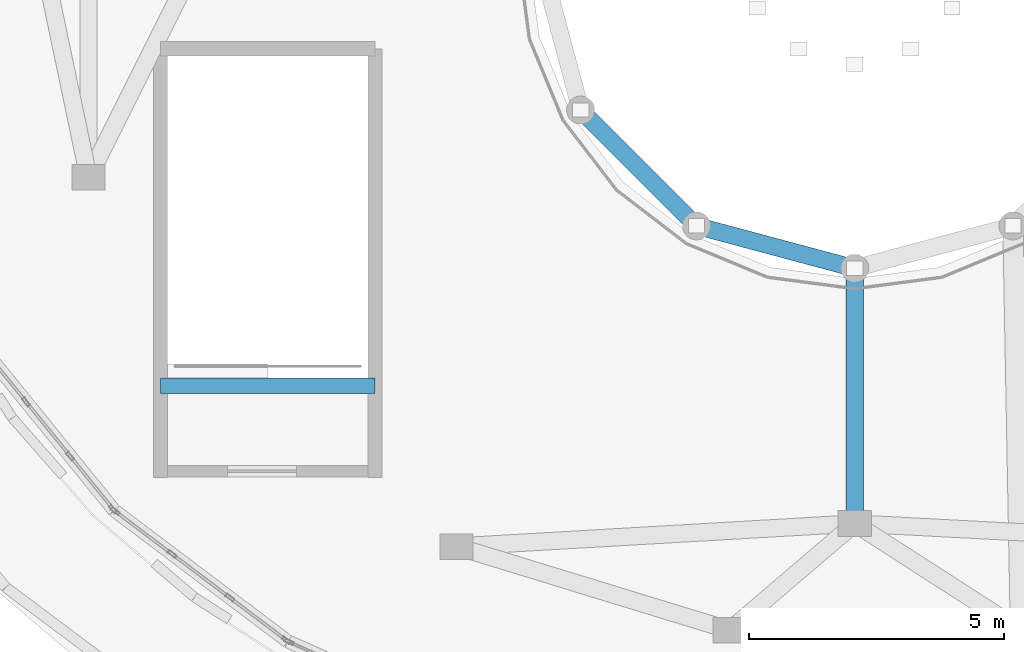
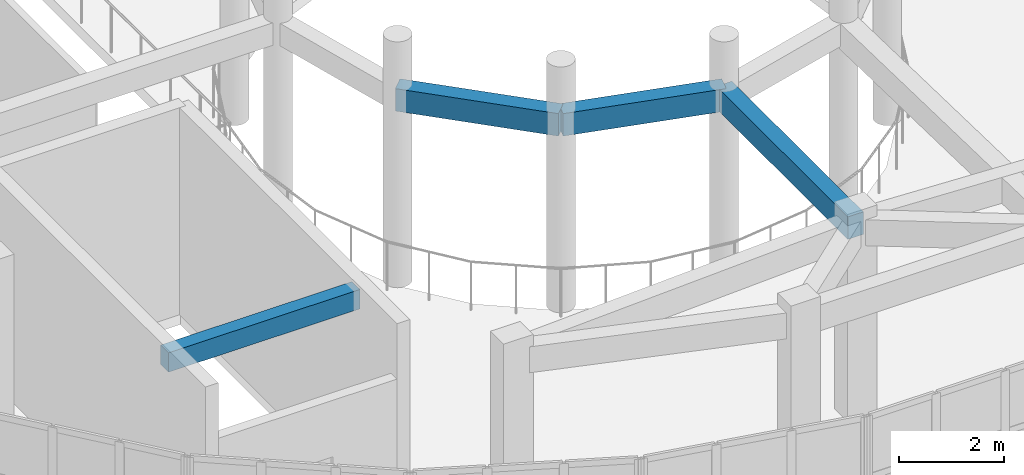
# One storey, part 7 of 98: 4 beams.
"""IFC4 building model written with IfcOpenShell, lengths in metres."""

from ifc_helpers import new_model, si_unit, direction, frame, origin, origin_2d, place, context, subcontext, project, spatial, rectangle, extrude, material, material_profile, profile_set, type_object, element, save


model = new_model("IFC4")

# Units and contexts
model_context = context("Model", 3, precision=1e-05, world=origin(), true_north=direction((0.0, 1.0)))
body_context = subcontext(model_context, "Body", "Model", "MODEL_VIEW")
ifc_project = project(units=[si_unit("LENGTHUNIT", "METRE"), si_unit("AREAUNIT", "SQUARE_METRE"), si_unit("VOLUMEUNIT", "CUBIC_METRE"), si_unit("PLANEANGLEUNIT", "RADIAN"), si_unit("MASSUNIT", "GRAM", prefix="KILO")], contexts=[model_context])

# Site, building, storey
site_placement = place(None, origin())
site = spatial("IfcSite", under=ifc_project, at=site_placement, CompositionType="ELEMENT")
building_placement = place(site_placement, origin())
building = spatial("IfcBuilding", under=site, at=building_placement, Name="Pelvatis Terrace Science Centre", CompositionType="ELEMENT")
storey_placement = place(building_placement, frame((0.0, 0.0, 5.39990234375)))
storey = spatial("IfcBuildingStorey", under=building, at=storey_placement, Name="L01", CompositionType="ELEMENT", Elevation=5.39990234375)

# Beams
ifc_material_1 = material(Name="Concrete C35/45", Category="concrete")
ifc_material_profile_1 = material_profile(ifc_material_1, rectangle(XDim=0.300048828125, YDim=0.449951171875, at=origin_2d()), Name="RC-BM 300x450")
ifc_profile_set_1 = profile_set([ifc_material_profile_1], Name="Concrete C35/45")
beam_type_1 = type_object("IfcBeamType", Name="BM-RC-300x450", PredefinedType="BEAM", material=ifc_profile_set_1)
beam_1_placement = place(storey_placement, frame((33.199951171875, 26.60009765625, 4.320068359375), z_axis=(1.0, 0.0, 0.0), x_axis=(0.0, 1.0, 0.0)))
element("IfcBeam", 1, at=beam_1_placement, inside=storey, type_object=beam_type_1, Name="Stair ST-08 header beam (L01)", PredefinedType="BEAM", context=body_context, shape_type="SweptSolid", body=[
    extrude(rectangle(XDim=0.300048828125, YDim=0.449951171875, at=origin_2d()), origin(), (0.0, 0.0, 1.0), 4.199951171875),
])
ifc_material_2 = material(Name="Concrete C35/45", Category="concrete")
ifc_material_profile_2 = material_profile(ifc_material_2, rectangle(XDim=0.340087890625, YDim=0.52001953125, at=origin_2d()), Name="RC-BM 340x520")
ifc_profile_set_2 = profile_set([ifc_material_profile_2], Name="Concrete C35/45")
beam_type_2 = type_object("IfcBeamType", Name="BM-RC-340x520", PredefinedType="BEAM", material=ifc_profile_set_2)
beam_2_placement = place(storey_placement, frame((41.4306640625, 32.0, 4.280029296875), z_axis=(0.707106781187, -0.707106781187, 0.0), x_axis=(0.707106781187, 0.707106781187, 0.0)))
element("IfcBeam", 2, at=beam_2_placement, inside=storey, type_object=beam_type_2, Name="Beam BM-L01-2596", PredefinedType="BEAM", context=body_context, shape_type="SweptSolid", body=[
    extrude(rectangle(XDim=0.340087890625, YDim=0.52001953125, at=origin_2d()), origin(), (0.0, 0.0, 1.0), 3.209228515625),
])
beam_3_placement = place(storey_placement, frame((43.699951171875, 29.730712890625, 4.280029296875), z_axis=(0.965914773555, -0.258860290944, 0.0), x_axis=(0.258860290944, 0.965914773555, 0.0)))
element("IfcBeam", 3, at=beam_3_placement, inside=storey, type_object=beam_type_2, Name="Beam BM-L01-2597", PredefinedType="BEAM", context=body_context, shape_type="SweptSolid", body=[
    extrude(rectangle(XDim=0.340087890625, YDim=0.52001953125, at=origin_2d()), origin(), (0.0, 0.0, 1.0), 3.20947265625),
])
beam_4_placement = place(storey_placement, frame((46.800048828125, 28.89990234375, 4.280029296875), z_axis=(0.0, -1.0, 0.0), x_axis=(1.0, 0.0, 0.0)))
element("IfcBeam", 4, at=beam_4_placement, inside=storey, type_object=beam_type_2, Name="Beam BM-L01-2599", PredefinedType="BEAM", context=body_context, shape_type="SweptSolid", body=[
    extrude(rectangle(XDim=0.340087890625, YDim=0.52001953125, at=origin_2d()), origin(), (0.0, 0.0, 1.0), 5.0),
])

save(model, "model.ifc")
